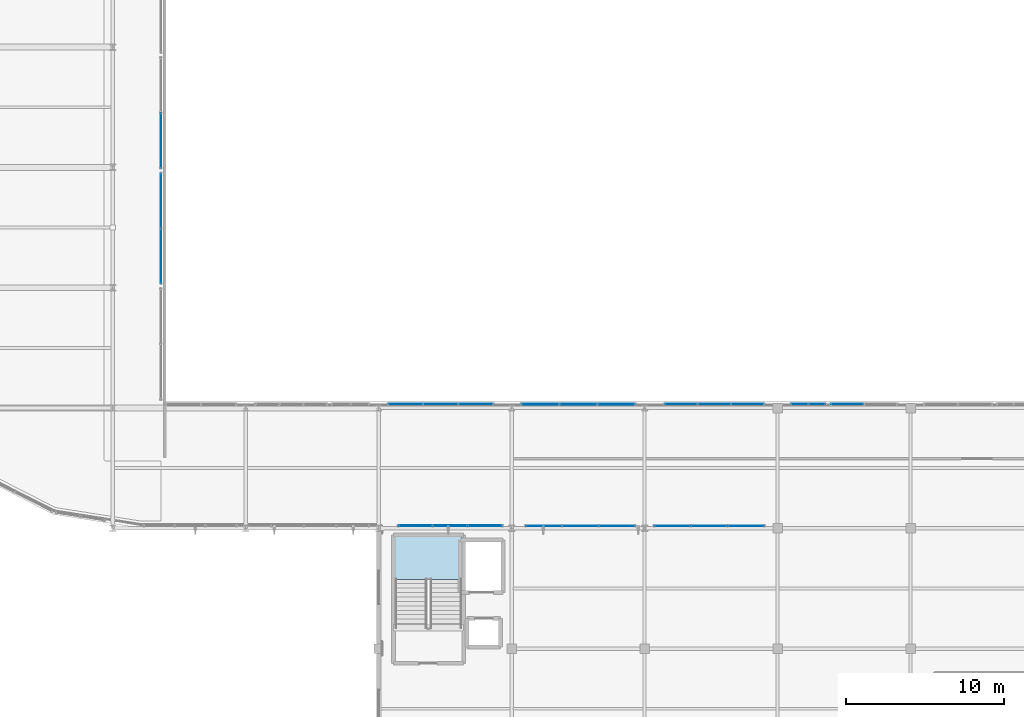
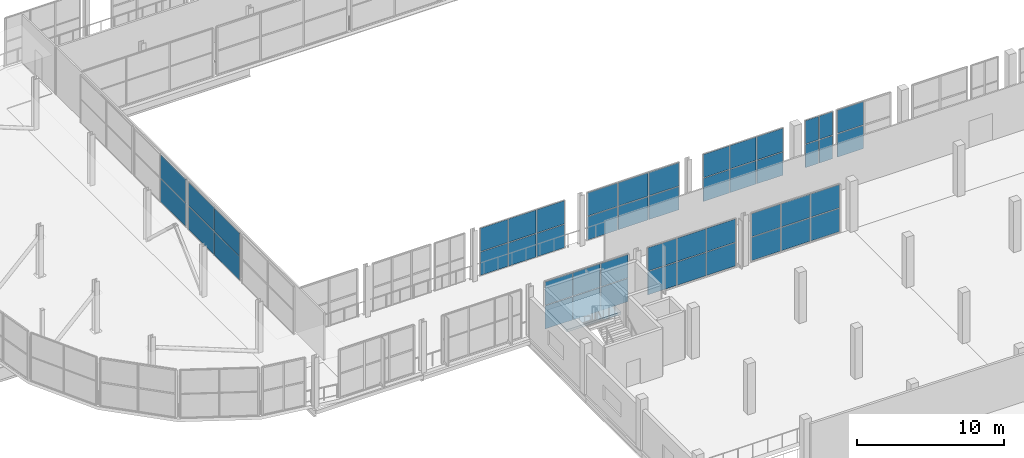
# One storey, part 165 of 217: 48 plates, 1 slab, 11 elements without a shape of their own.
"""IFC4 building model written with IfcOpenShell, lengths in metres."""

from ifc_helpers import new_model, si_unit, direction, frame, origin, origin_2d, place, context, subcontext, project, spatial, polyline, rectangle, outline, extrude, material, layer, layer_set, type_object, element, aggregate, save


model = new_model("IFC4")

# Units and contexts
model_context = context("Model", 3, precision=1e-05, world=origin(), true_north=direction((0.0, 1.0)))
body_context = subcontext(model_context, "Body", "Model", "MODEL_VIEW")
ifc_project = project(units=[si_unit("LENGTHUNIT", "METRE"), si_unit("AREAUNIT", "SQUARE_METRE"), si_unit("VOLUMEUNIT", "CUBIC_METRE"), si_unit("PLANEANGLEUNIT", "RADIAN"), si_unit("MASSUNIT", "GRAM", prefix="KILO")], contexts=[model_context])

# Site, building, storey
site_placement = place(None, origin())
site = spatial("IfcSite", under=ifc_project, at=site_placement, CompositionType="ELEMENT")
building_placement = place(site_placement, origin())
building = spatial("IfcBuilding", under=site, at=building_placement, Name="Zuvorla Pavilion Media Centre", CompositionType="ELEMENT")
storey_placement = place(building_placement, frame((0.0, 0.0, 9.60009765625)))
storey = spatial("IfcBuildingStorey", under=building, at=storey_placement, Name="L02", CompositionType="ELEMENT", Elevation=9.60009765625)

# Curtain wall, plates
ifc_material_1 = material(Name="Unitised anodised aluminium and solar glass curtain wall", Category="aluminium")
curtain_wall_type_1 = type_object("IfcCurtainWallType", Name="CW-SYS-22", PredefinedType="USERDEFINED", material=ifc_material_1)
curtain_wall_1_placement = place(storey_placement, origin())
curtain_wall_1 = element("IfcCurtainWall", 1, at=curtain_wall_1_placement, inside=storey, type_object=curtain_wall_type_1, Name="L02 curtain wall CW22 41", ObjectType="CURTAIN WALL", PredefinedType="USERDEFINED")
ifc_material_2 = material(Name="Solar control double glazing", Category="glass")
ifc_layer_1 = layer(ifc_material_2, 0.028076171875)
ifc_layer_set_1 = layer_set([ifc_layer_1], Name="Solar control double glazing")
plate_type_1 = type_object("IfcPlateType", Name="CW-PNL-28", PredefinedType="CURTAIN_PANEL", material=ifc_layer_set_1)
plate_1_placement = place(storey_placement, frame((52.033203125, 44.159912109375, 0.02978515625), z_axis=(0.0, 0.0, 1.0), x_axis=(1.0, 0.0, 0.0)))
plate_1 = element("IfcPlate", 2, at=plate_1_placement, type_object=plate_type_1, Name="CW22 panel 1.1", PredefinedType="CURTAIN_PANEL", context=body_context, shape_type="SweptSolid", body=[
    extrude(rectangle(XDim=2.24658203125, YDim=0.028076171875, at=origin_2d()), origin(), (0.0, 0.0, 1.0), 1.9150390625),
])
plate_2_placement = place(storey_placement, frame((52.033203125, 44.159912109375, 2.0048828125), z_axis=(0.0, 0.0, 1.0), x_axis=(1.0, 0.0, 0.0)))
plate_2 = element("IfcPlate", 3, at=plate_2_placement, type_object=plate_type_1, Name="CW22 panel 1.2", PredefinedType="CURTAIN_PANEL", context=body_context, shape_type="SweptSolid", body=[
    extrude(rectangle(XDim=2.24658203125, YDim=0.028076171875, at=origin_2d()), origin(), (0.0, 0.0, 1.0), 1.9150390625),
])
plate_3_placement = place(storey_placement, frame((54.33984375, 44.159912109375, 0.02978515625), z_axis=(0.0, 0.0, 1.0), x_axis=(1.0, 0.0, 0.0)))
plate_3 = element("IfcPlate", 4, at=plate_3_placement, type_object=plate_type_1, Name="CW22 panel 2.1", PredefinedType="CURTAIN_PANEL", context=body_context, shape_type="SweptSolid", body=[
    extrude(rectangle(XDim=2.24658203125, YDim=0.028076171875, at=origin_2d()), origin(), (0.0, 0.0, 1.0), 1.9150390625),
])
plate_4_placement = place(storey_placement, frame((54.33984375, 44.159912109375, 2.0048828125), z_axis=(0.0, 0.0, 1.0), x_axis=(1.0, 0.0, 0.0)))
plate_4 = element("IfcPlate", 5, at=plate_4_placement, type_object=plate_type_1, Name="CW22 panel 2.2", PredefinedType="CURTAIN_PANEL", context=body_context, shape_type="SweptSolid", body=[
    extrude(rectangle(XDim=2.24658203125, YDim=0.028076171875, at=origin_2d()), origin(), (0.0, 0.0, 1.0), 1.9150390625),
])
plate_5_placement = place(storey_placement, frame((56.646484375, 44.159912109375, 0.02978515625), z_axis=(0.0, 0.0, 1.0), x_axis=(1.0, 0.0, 0.0)))
plate_5 = element("IfcPlate", 6, at=plate_5_placement, type_object=plate_type_1, Name="CW22 panel 3.1", PredefinedType="CURTAIN_PANEL", context=body_context, shape_type="SweptSolid", body=[
    extrude(rectangle(XDim=2.24658203125, YDim=0.028076171875, at=origin_2d()), origin(), (0.0, 0.0, 1.0), 1.9150390625),
])
plate_6_placement = place(storey_placement, frame((56.646484375, 44.159912109375, 2.0048828125), z_axis=(0.0, 0.0, 1.0), x_axis=(1.0, 0.0, 0.0)))
plate_6 = element("IfcPlate", 7, at=plate_6_placement, type_object=plate_type_1, Name="CW22 panel 3.2", PredefinedType="CURTAIN_PANEL", context=body_context, shape_type="SweptSolid", body=[
    extrude(rectangle(XDim=2.24658203125, YDim=0.028076171875, at=origin_2d()), origin(), (0.0, 0.0, 1.0), 1.9150390625),
])
aggregate(curtain_wall_1, [plate_1, plate_2, plate_3, plate_4, plate_5, plate_6])

curtain_wall_type_2 = type_object("IfcCurtainWallType", Name="CW-SYS-36", PredefinedType="USERDEFINED", material=ifc_material_1)
curtain_wall_2_placement = place(storey_placement, origin())
curtain_wall_2 = element("IfcCurtainWall", 8, at=curtain_wall_2_placement, inside=storey, type_object=curtain_wall_type_2, Name="L02 curtain wall CW36 57", ObjectType="CURTAIN WALL", PredefinedType="USERDEFINED")
plate_7_placement = place(storey_placement, frame((60.708251953125, 51.840087890625, 0.02978515625), z_axis=(0.0, 0.0, 1.0), x_axis=(1.0, 0.0, 0.0)))
plate_7 = element("IfcPlate", 9, at=plate_7_placement, type_object=plate_type_1, Name="CW36 panel 1.1", PredefinedType="CURTAIN_PANEL", context=body_context, shape_type="SweptSolid", body=[
    extrude(rectangle(XDim=2.03662109375, YDim=0.028076171875, at=origin_2d()), origin(), (0.0, 0.0, 1.0), 1.9150390625),
])
plate_8_placement = place(storey_placement, frame((60.708251953125, 51.840087890625, 2.0048828125), z_axis=(0.0, 0.0, 1.0), x_axis=(1.0, 0.0, 0.0)))
plate_8 = element("IfcPlate", 10, at=plate_8_placement, type_object=plate_type_1, Name="CW36 panel 1.2", PredefinedType="CURTAIN_PANEL", context=body_context, shape_type="SweptSolid", body=[
    extrude(rectangle(XDim=2.03662109375, YDim=0.028076171875, at=origin_2d()), origin(), (0.0, 0.0, 1.0), 1.9150390625),
])
plate_9_placement = place(storey_placement, frame((62.804931640625, 51.840087890625, 0.02978515625), z_axis=(0.0, 0.0, 1.0), x_axis=(1.0, 0.0, 0.0)))
plate_9 = element("IfcPlate", 11, at=plate_9_placement, type_object=plate_type_1, Name="CW36 panel 2.1", PredefinedType="CURTAIN_PANEL", context=body_context, shape_type="SweptSolid", body=[
    extrude(rectangle(XDim=2.03662109375, YDim=0.028076171875, at=origin_2d()), origin(), (0.0, 0.0, 1.0), 1.9150390625),
])
plate_10_placement = place(storey_placement, frame((62.804931640625, 51.840087890625, 2.0048828125), z_axis=(0.0, 0.0, 1.0), x_axis=(1.0, 0.0, 0.0)))
plate_10 = element("IfcPlate", 12, at=plate_10_placement, type_object=plate_type_1, Name="CW36 panel 2.2", PredefinedType="CURTAIN_PANEL", context=body_context, shape_type="SweptSolid", body=[
    extrude(rectangle(XDim=2.03662109375, YDim=0.028076171875, at=origin_2d()), origin(), (0.0, 0.0, 1.0), 1.9150390625),
])
plate_11_placement = place(storey_placement, frame((64.9013671875, 51.840087890625, 0.02978515625), z_axis=(0.0, 0.0, 1.0), x_axis=(1.0, 0.0, 0.0)))
plate_11 = element("IfcPlate", 13, at=plate_11_placement, type_object=plate_type_1, Name="CW36 panel 3.1", PredefinedType="CURTAIN_PANEL", context=body_context, shape_type="SweptSolid", body=[
    extrude(rectangle(XDim=2.03662109375, YDim=0.028076171875, at=origin_2d()), origin(), (0.0, 0.0, 1.0), 1.9150390625),
])
plate_12_placement = place(storey_placement, frame((64.9013671875, 51.840087890625, 2.0048828125), z_axis=(0.0, 0.0, 1.0), x_axis=(1.0, 0.0, 0.0)))
plate_12 = element("IfcPlate", 14, at=plate_12_placement, type_object=plate_type_1, Name="CW36 panel 3.2", PredefinedType="CURTAIN_PANEL", context=body_context, shape_type="SweptSolid", body=[
    extrude(rectangle(XDim=2.03662109375, YDim=0.028076171875, at=origin_2d()), origin(), (0.0, 0.0, 1.0), 1.9150390625),
])
aggregate(curtain_wall_2, [plate_7, plate_8, plate_9, plate_10, plate_11, plate_12])

curtain_wall_type_3 = type_object("IfcCurtainWallType", Name="CW-SYS-37", PredefinedType="USERDEFINED", material=ifc_material_1)
curtain_wall_3_placement = place(storey_placement, origin())
curtain_wall_3 = element("IfcCurtainWall", 15, at=curtain_wall_3_placement, inside=storey, type_object=curtain_wall_type_3, Name="L02 curtain wall CW37 58", ObjectType="CURTAIN WALL", PredefinedType="USERDEFINED")
plate_13_placement = place(storey_placement, frame((68.19775390625, 51.840087890625, 0.02978515625), z_axis=(0.0, 0.0, 1.0), x_axis=(1.0, 0.0, 0.0)))
plate_13 = element("IfcPlate", 16, at=plate_13_placement, type_object=plate_type_1, Name="CW37 panel 1.1", PredefinedType="CURTAIN_PANEL", context=body_context, shape_type="SweptSolid", body=[
    extrude(rectangle(XDim=1.034912109375, YDim=0.028076171875, at=origin_2d()), origin(), (0.0, 0.0, 1.0), 1.9150390625),
])
plate_14_placement = place(storey_placement, frame((68.19775390625, 51.840087890625, 2.0048828125), z_axis=(0.0, 0.0, 1.0), x_axis=(1.0, 0.0, 0.0)))
plate_14 = element("IfcPlate", 17, at=plate_14_placement, type_object=plate_type_1, Name="CW37 panel 1.2", PredefinedType="CURTAIN_PANEL", context=body_context, shape_type="SweptSolid", body=[
    extrude(rectangle(XDim=1.034912109375, YDim=0.028076171875, at=origin_2d()), origin(), (0.0, 0.0, 1.0), 1.9150390625),
])
plate_15_placement = place(storey_placement, frame((69.29248046875, 51.840087890625, 0.02978515625), z_axis=(0.0, 0.0, 1.0), x_axis=(1.0, 0.0, 0.0)))
plate_15 = element("IfcPlate", 18, at=plate_15_placement, type_object=plate_type_1, Name="CW37 panel 2.1", PredefinedType="CURTAIN_PANEL", context=body_context, shape_type="SweptSolid", body=[
    extrude(rectangle(XDim=1.034912109375, YDim=0.028076171875, at=origin_2d()), origin(), (0.0, 0.0, 1.0), 1.9150390625),
])
plate_16_placement = place(storey_placement, frame((69.29248046875, 51.840087890625, 2.0048828125), z_axis=(0.0, 0.0, 1.0), x_axis=(1.0, 0.0, 0.0)))
plate_16 = element("IfcPlate", 19, at=plate_16_placement, type_object=plate_type_1, Name="CW37 panel 2.2", PredefinedType="CURTAIN_PANEL", context=body_context, shape_type="SweptSolid", body=[
    extrude(rectangle(XDim=1.034912109375, YDim=0.028076171875, at=origin_2d()), origin(), (0.0, 0.0, 1.0), 1.9150390625),
])
aggregate(curtain_wall_3, [plate_13, plate_14, plate_15, plate_16])

curtain_wall_type_4 = type_object("IfcCurtainWallType", Name="CW-SYS-24", PredefinedType="USERDEFINED", material=ifc_material_1)
curtain_wall_4_placement = place(storey_placement, origin())
curtain_wall_4 = element("IfcCurtainWall", 20, at=curtain_wall_4_placement, inside=storey, type_object=curtain_wall_type_4, Name="L02 curtain wall CW24 89", ObjectType="CURTAIN WALL", PredefinedType="USERDEFINED")
plate_17_placement = place(storey_placement, frame((27.840087890625, 64.695068359375, 0.02978515625), z_axis=(0.0, 0.0, 1.0), x_axis=(0.0, -1.0, 0.0)))
plate_17 = element("IfcPlate", 21, at=plate_17_placement, type_object=plate_type_1, Name="CW24 panel 1.1", PredefinedType="CURTAIN_PANEL", context=body_context, shape_type="SweptSolid", body=[
    extrude(rectangle(XDim=3.429931640625, YDim=0.028076171875, at=origin_2d()), origin(), (0.0, 0.0, 1.0), 1.9150390625),
])
plate_18_placement = place(storey_placement, frame((27.840087890625, 64.695068359375, 2.0048828125), z_axis=(0.0, 0.0, 1.0), x_axis=(0.0, -1.0, 0.0)))
plate_18 = element("IfcPlate", 22, at=plate_18_placement, type_object=plate_type_1, Name="CW24 panel 1.2", PredefinedType="CURTAIN_PANEL", context=body_context, shape_type="SweptSolid", body=[
    extrude(rectangle(XDim=3.429931640625, YDim=0.028076171875, at=origin_2d()), origin(), (0.0, 0.0, 1.0), 1.9150390625),
])
plate_19_placement = place(storey_placement, frame((27.840087890625, 61.205078125, 0.02978515625), z_axis=(0.0, 0.0, 1.0), x_axis=(0.0, -1.0, 0.0)))
plate_19 = element("IfcPlate", 23, at=plate_19_placement, type_object=plate_type_1, Name="CW24 panel 2.1", PredefinedType="CURTAIN_PANEL", context=body_context, shape_type="SweptSolid", body=[
    extrude(rectangle(XDim=3.429931640625, YDim=0.028076171875, at=origin_2d()), origin(), (0.0, 0.0, 1.0), 1.9150390625),
])
plate_20_placement = place(storey_placement, frame((27.840087890625, 61.205078125, 2.0048828125), z_axis=(0.0, 0.0, 1.0), x_axis=(0.0, -1.0, 0.0)))
plate_20 = element("IfcPlate", 24, at=plate_20_placement, type_object=plate_type_1, Name="CW24 panel 2.2", PredefinedType="CURTAIN_PANEL", context=body_context, shape_type="SweptSolid", body=[
    extrude(rectangle(XDim=3.429931640625, YDim=0.028076171875, at=origin_2d()), origin(), (0.0, 0.0, 1.0), 1.9150390625),
])
aggregate(curtain_wall_4, [plate_17, plate_18, plate_19, plate_20])

curtain_wall_type_5 = type_object("IfcCurtainWallType", Name="CW-SYS-23", PredefinedType="USERDEFINED", material=ifc_material_1)
curtain_wall_5_placement = place(storey_placement, origin())
curtain_wall_5 = element("IfcCurtainWall", 25, at=curtain_wall_5_placement, inside=storey, type_object=curtain_wall_type_5, Name="L02 curtain wall CW23 42", ObjectType="CURTAIN WALL", PredefinedType="USERDEFINED")
ifc_material_3 = material(Name="Acoustic laminated solar glazing", Category="glass")
ifc_layer_2 = layer(ifc_material_3, 0.033935546875)
ifc_layer_set_2 = layer_set([ifc_layer_2], Name="Acoustic laminated solar glazing")
plate_type_2 = type_object("IfcPlateType", Name="CW-PNL-34", PredefinedType="CURTAIN_PANEL", material=ifc_layer_set_2)
plate_21_placement = place(storey_placement, frame((60.158447265625, 44.159912109375, 0.02978515625), z_axis=(0.0, 0.0, 1.0), x_axis=(1.0, 0.0, 0.0)))
plate_21 = element("IfcPlate", 26, at=plate_21_placement, type_object=plate_type_2, Name="CW23 panel 1.1", PredefinedType="CURTAIN_PANEL", context=body_context, shape_type="SweptSolid", body=[
    extrude(rectangle(XDim=2.256591796875, YDim=0.033935546875, at=origin_2d()), origin(), (0.0, 0.0, 1.0), 1.9150390625),
])
plate_22_placement = place(storey_placement, frame((60.158447265625, 44.159912109375, 2.0048828125), z_axis=(0.0, 0.0, 1.0), x_axis=(1.0, 0.0, 0.0)))
plate_22 = element("IfcPlate", 27, at=plate_22_placement, type_object=plate_type_2, Name="CW23 panel 1.2", PredefinedType="CURTAIN_PANEL", context=body_context, shape_type="SweptSolid", body=[
    extrude(rectangle(XDim=2.256591796875, YDim=0.033935546875, at=origin_2d()), origin(), (0.0, 0.0, 1.0), 1.9150390625),
])
plate_23_placement = place(storey_placement, frame((62.474853515625, 44.159912109375, 0.02978515625), z_axis=(0.0, 0.0, 1.0), x_axis=(1.0, 0.0, 0.0)))
plate_23 = element("IfcPlate", 28, at=plate_23_placement, type_object=plate_type_2, Name="CW23 panel 2.1", PredefinedType="CURTAIN_PANEL", context=body_context, shape_type="SweptSolid", body=[
    extrude(rectangle(XDim=2.256591796875, YDim=0.033935546875, at=origin_2d()), origin(), (0.0, 0.0, 1.0), 1.9150390625),
])
plate_24_placement = place(storey_placement, frame((62.474853515625, 44.159912109375, 2.0048828125), z_axis=(0.0, 0.0, 1.0), x_axis=(1.0, 0.0, 0.0)))
plate_24 = element("IfcPlate", 29, at=plate_24_placement, type_object=plate_type_2, Name="CW23 panel 2.2", PredefinedType="CURTAIN_PANEL", context=body_context, shape_type="SweptSolid", body=[
    extrude(rectangle(XDim=2.256591796875, YDim=0.033935546875, at=origin_2d()), origin(), (0.0, 0.0, 1.0), 1.9150390625),
])
plate_25_placement = place(storey_placement, frame((64.79150390625, 44.159912109375, 0.02978515625), z_axis=(0.0, 0.0, 1.0), x_axis=(1.0, 0.0, 0.0)))
plate_25 = element("IfcPlate", 30, at=plate_25_placement, type_object=plate_type_2, Name="CW23 panel 3.1", PredefinedType="CURTAIN_PANEL", context=body_context, shape_type="SweptSolid", body=[
    extrude(rectangle(XDim=2.256591796875, YDim=0.033935546875, at=origin_2d()), origin(), (0.0, 0.0, 1.0), 1.9150390625),
])
plate_26_placement = place(storey_placement, frame((64.79150390625, 44.159912109375, 2.0048828125), z_axis=(0.0, 0.0, 1.0), x_axis=(1.0, 0.0, 0.0)))
plate_26 = element("IfcPlate", 31, at=plate_26_placement, type_object=plate_type_2, Name="CW23 panel 3.2", PredefinedType="CURTAIN_PANEL", context=body_context, shape_type="SweptSolid", body=[
    extrude(rectangle(XDim=2.256591796875, YDim=0.033935546875, at=origin_2d()), origin(), (0.0, 0.0, 1.0), 1.9150390625),
])
aggregate(curtain_wall_5, [plate_21, plate_22, plate_23, plate_24, plate_25, plate_26])

curtain_wall_type_6 = type_object("IfcCurtainWallType", Name="CW-SYS-32", PredefinedType="USERDEFINED", material=ifc_material_1)
curtain_wall_6_placement = place(storey_placement, origin())
curtain_wall_6 = element("IfcCurtainWall", 32, at=curtain_wall_6_placement, inside=storey, type_object=curtain_wall_type_6, Name="L02 curtain wall CW32 53", ObjectType="CURTAIN WALL", PredefinedType="USERDEFINED")
plate_27_placement = place(storey_placement, frame((43.306884765625, 51.840087890625, 0.02978515625), z_axis=(0.0, 0.0, 1.0), x_axis=(1.0, 0.0, 0.0)))
plate_27 = element("IfcPlate", 33, at=plate_27_placement, type_object=plate_type_2, Name="CW32 panel 1.1", PredefinedType="CURTAIN_PANEL", context=body_context, shape_type="SweptSolid", body=[
    extrude(rectangle(XDim=2.1533203125, YDim=0.033935546875, at=origin_2d()), origin(), (0.0, 0.0, 1.0), 1.9150390625),
])
plate_28_placement = place(storey_placement, frame((43.306884765625, 51.840087890625, 2.0048828125), z_axis=(0.0, 0.0, 1.0), x_axis=(1.0, 0.0, 0.0)))
plate_28 = element("IfcPlate", 34, at=plate_28_placement, type_object=plate_type_2, Name="CW32 panel 1.2", PredefinedType="CURTAIN_PANEL", context=body_context, shape_type="SweptSolid", body=[
    extrude(rectangle(XDim=2.1533203125, YDim=0.033935546875, at=origin_2d()), origin(), (0.0, 0.0, 1.0), 1.9150390625),
])
plate_29_placement = place(storey_placement, frame((45.52001953125, 51.840087890625, 0.02978515625), z_axis=(0.0, 0.0, 1.0), x_axis=(1.0, 0.0, 0.0)))
plate_29 = element("IfcPlate", 35, at=plate_29_placement, type_object=plate_type_2, Name="CW32 panel 2.1", PredefinedType="CURTAIN_PANEL", context=body_context, shape_type="SweptSolid", body=[
    extrude(rectangle(XDim=2.1533203125, YDim=0.033935546875, at=origin_2d()), origin(), (0.0, 0.0, 1.0), 1.9150390625),
])
plate_30_placement = place(storey_placement, frame((45.52001953125, 51.840087890625, 2.0048828125), z_axis=(0.0, 0.0, 1.0), x_axis=(1.0, 0.0, 0.0)))
plate_30 = element("IfcPlate", 36, at=plate_30_placement, type_object=plate_type_2, Name="CW32 panel 2.2", PredefinedType="CURTAIN_PANEL", context=body_context, shape_type="SweptSolid", body=[
    extrude(rectangle(XDim=2.1533203125, YDim=0.033935546875, at=origin_2d()), origin(), (0.0, 0.0, 1.0), 1.9150390625),
])
plate_31_placement = place(storey_placement, frame((47.7333984375, 51.840087890625, 0.02978515625), z_axis=(0.0, 0.0, 1.0), x_axis=(1.0, 0.0, 0.0)))
plate_31 = element("IfcPlate", 37, at=plate_31_placement, type_object=plate_type_2, Name="CW32 panel 3.1", PredefinedType="CURTAIN_PANEL", context=body_context, shape_type="SweptSolid", body=[
    extrude(rectangle(XDim=2.1533203125, YDim=0.033935546875, at=origin_2d()), origin(), (0.0, 0.0, 1.0), 1.9150390625),
])
plate_32_placement = place(storey_placement, frame((47.7333984375, 51.840087890625, 2.0048828125), z_axis=(0.0, 0.0, 1.0), x_axis=(1.0, 0.0, 0.0)))
plate_32 = element("IfcPlate", 38, at=plate_32_placement, type_object=plate_type_2, Name="CW32 panel 3.2", PredefinedType="CURTAIN_PANEL", context=body_context, shape_type="SweptSolid", body=[
    extrude(rectangle(XDim=2.1533203125, YDim=0.033935546875, at=origin_2d()), origin(), (0.0, 0.0, 1.0), 1.9150390625),
])
aggregate(curtain_wall_6, [plate_27, plate_28, plate_29, plate_30, plate_31, plate_32])

curtain_wall_type_7 = type_object("IfcCurtainWallType", Name="CW-SYS-40", PredefinedType="USERDEFINED", material=ifc_material_1)
curtain_wall_7_placement = place(storey_placement, origin())
curtain_wall_7 = element("IfcCurtainWall", 39, at=curtain_wall_7_placement, inside=storey, type_object=curtain_wall_type_7, Name="L02 curtain wall CW40 61", ObjectType="CURTAIN WALL", PredefinedType="USERDEFINED")
plate_33_placement = place(storey_placement, frame((71.20751953125, 51.840087890625, 0.02978515625), z_axis=(0.0, 0.0, 1.0), x_axis=(1.0, 0.0, 0.0)))
plate_33 = element("IfcPlate", 40, at=plate_33_placement, type_object=plate_type_2, Name="CW40 panel 1.1", PredefinedType="CURTAIN_PANEL", context=body_context, shape_type="SweptSolid", body=[
    extrude(rectangle(XDim=2.034912109375, YDim=0.033935546875, at=origin_2d()), origin(), (0.0, 0.0, 1.0), 1.9150390625),
])
plate_34_placement = place(storey_placement, frame((71.20751953125, 51.840087890625, 2.0048828125), z_axis=(0.0, 0.0, 1.0), x_axis=(1.0, 0.0, 0.0)))
plate_34 = element("IfcPlate", 41, at=plate_34_placement, type_object=plate_type_2, Name="CW40 panel 1.2", PredefinedType="CURTAIN_PANEL", context=body_context, shape_type="SweptSolid", body=[
    extrude(rectangle(XDim=2.034912109375, YDim=0.033935546875, at=origin_2d()), origin(), (0.0, 0.0, 1.0), 1.9150390625),
])
aggregate(curtain_wall_7, [plate_33, plate_34])

curtain_wall_type_8 = type_object("IfcCurtainWallType", Name="CW-SYS-58", PredefinedType="USERDEFINED", material=ifc_material_1)
curtain_wall_8_placement = place(storey_placement, origin())
curtain_wall_8 = element("IfcCurtainWall", 42, at=curtain_wall_8_placement, inside=storey, type_object=curtain_wall_type_8, Name="L02 curtain wall CW58 91", ObjectType="CURTAIN WALL", PredefinedType="USERDEFINED")
plate_35_placement = place(storey_placement, frame((27.840087890625, 68.5048828125, 0.02978515625), z_axis=(0.0, 0.0, 1.0), x_axis=(0.0, -1.0, 0.0)))
plate_35 = element("IfcPlate", 43, at=plate_35_placement, type_object=plate_type_2, Name="CW58 panel 2.1", PredefinedType="CURTAIN_PANEL", context=body_context, shape_type="SweptSolid", body=[
    extrude(rectangle(XDim=3.429931640625, YDim=0.033935546875, at=origin_2d()), origin(), (0.0, 0.0, 1.0), 1.9150390625),
])
plate_36_placement = place(storey_placement, frame((27.840087890625, 68.5048828125, 2.0048828125), z_axis=(0.0, 0.0, 1.0), x_axis=(0.0, -1.0, 0.0)))
plate_36 = element("IfcPlate", 44, at=plate_36_placement, type_object=plate_type_2, Name="CW58 panel 2.2", PredefinedType="CURTAIN_PANEL", context=body_context, shape_type="SweptSolid", body=[
    extrude(rectangle(XDim=3.429931640625, YDim=0.033935546875, at=origin_2d()), origin(), (0.0, 0.0, 1.0), 1.9150390625),
])
aggregate(curtain_wall_8, [plate_35, plate_36])

curtain_wall_type_9 = type_object("IfcCurtainWallType", Name="CW-SYS-21", PredefinedType="USERDEFINED", material=ifc_material_1)
curtain_wall_9_placement = place(storey_placement, origin())
curtain_wall_9 = element("IfcCurtainWall", 45, at=curtain_wall_9_placement, inside=storey, type_object=curtain_wall_type_9, Name="L02 curtain wall CW21 40", ObjectType="CURTAIN WALL", PredefinedType="USERDEFINED")
ifc_material_4 = material(Name="Triple acoustic broadcast glazing", Category="glass")
ifc_layer_3 = layer(ifc_material_4, 0.0419921875)
ifc_layer_set_3 = layer_set([ifc_layer_3], Name="Triple acoustic broadcast glazing")
plate_type_3 = type_object("IfcPlateType", Name="CW-PNL-42", PredefinedType="CURTAIN_PANEL", material=ifc_layer_set_3)
plate_37_placement = place(storey_placement, frame((43.933349609375, 44.159912109375, 0.02978515625), z_axis=(0.0, 0.0, 1.0), x_axis=(1.0, 0.0, 0.0)))
plate_37 = element("IfcPlate", 46, at=plate_37_placement, type_object=plate_type_3, Name="CW21 panel 1.1", PredefinedType="CURTAIN_PANEL", context=body_context, shape_type="SweptSolid", body=[
    extrude(rectangle(XDim=2.126708984375, YDim=0.0419921875, at=origin_2d()), origin(), (0.0, 0.0, 1.0), 1.9150390625),
])
plate_38_placement = place(storey_placement, frame((43.933349609375, 44.159912109375, 2.0048828125), z_axis=(0.0, 0.0, 1.0), x_axis=(1.0, 0.0, 0.0)))
plate_38 = element("IfcPlate", 47, at=plate_38_placement, type_object=plate_type_3, Name="CW21 panel 1.2", PredefinedType="CURTAIN_PANEL", context=body_context, shape_type="SweptSolid", body=[
    extrude(rectangle(XDim=2.126708984375, YDim=0.0419921875, at=origin_2d()), origin(), (0.0, 0.0, 1.0), 1.9150390625),
])
plate_39_placement = place(storey_placement, frame((46.119873046875, 44.159912109375, 0.02978515625), z_axis=(0.0, 0.0, 1.0), x_axis=(1.0, 0.0, 0.0)))
plate_39 = element("IfcPlate", 48, at=plate_39_placement, type_object=plate_type_3, Name="CW21 panel 2.1", PredefinedType="CURTAIN_PANEL", context=body_context, shape_type="SweptSolid", body=[
    extrude(rectangle(XDim=2.126708984375, YDim=0.0419921875, at=origin_2d()), origin(), (0.0, 0.0, 1.0), 1.9150390625),
])
plate_40_placement = place(storey_placement, frame((46.119873046875, 44.159912109375, 2.0048828125), z_axis=(0.0, 0.0, 1.0), x_axis=(1.0, 0.0, 0.0)))
plate_40 = element("IfcPlate", 49, at=plate_40_placement, type_object=plate_type_3, Name="CW21 panel 2.2", PredefinedType="CURTAIN_PANEL", context=body_context, shape_type="SweptSolid", body=[
    extrude(rectangle(XDim=2.126708984375, YDim=0.0419921875, at=origin_2d()), origin(), (0.0, 0.0, 1.0), 1.9150390625),
])
plate_41_placement = place(storey_placement, frame((48.306396484375, 44.159912109375, 0.02978515625), z_axis=(0.0, 0.0, 1.0), x_axis=(1.0, 0.0, 0.0)))
plate_41 = element("IfcPlate", 50, at=plate_41_placement, type_object=plate_type_3, Name="CW21 panel 3.1", PredefinedType="CURTAIN_PANEL", context=body_context, shape_type="SweptSolid", body=[
    extrude(rectangle(XDim=2.126708984375, YDim=0.0419921875, at=origin_2d()), origin(), (0.0, 0.0, 1.0), 1.9150390625),
])
plate_42_placement = place(storey_placement, frame((48.306396484375, 44.159912109375, 2.0048828125), z_axis=(0.0, 0.0, 1.0), x_axis=(1.0, 0.0, 0.0)))
plate_42 = element("IfcPlate", 51, at=plate_42_placement, type_object=plate_type_3, Name="CW21 panel 3.2", PredefinedType="CURTAIN_PANEL", context=body_context, shape_type="SweptSolid", body=[
    extrude(rectangle(XDim=2.126708984375, YDim=0.0419921875, at=origin_2d()), origin(), (0.0, 0.0, 1.0), 1.9150390625),
])
aggregate(curtain_wall_9, [plate_37, plate_38, plate_39, plate_40, plate_41, plate_42])

curtain_wall_type_10 = type_object("IfcCurtainWallType", Name="CW-SYS-34", PredefinedType="USERDEFINED", material=ifc_material_1)
curtain_wall_10_placement = place(storey_placement, origin())
curtain_wall_10 = element("IfcCurtainWall", 52, at=curtain_wall_10_placement, inside=storey, type_object=curtain_wall_type_10, Name="L02 curtain wall CW34 55", ObjectType="CURTAIN WALL", PredefinedType="USERDEFINED")
plate_43_placement = place(storey_placement, frame((51.800048828125, 51.840087890625, 0.02978515625), z_axis=(0.0, 0.0, 1.0), x_axis=(1.0, 0.0, 0.0)))
plate_43 = element("IfcPlate", 53, at=plate_43_placement, type_object=plate_type_3, Name="CW34 panel 1.1", PredefinedType="CURTAIN_PANEL", context=body_context, shape_type="SweptSolid", body=[
    extrude(rectangle(XDim=2.33984375, YDim=0.0419921875, at=origin_2d()), origin(), (0.0, 0.0, 1.0), 1.9150390625),
])
plate_44_placement = place(storey_placement, frame((51.800048828125, 51.840087890625, 2.0048828125), z_axis=(0.0, 0.0, 1.0), x_axis=(1.0, 0.0, 0.0)))
plate_44 = element("IfcPlate", 54, at=plate_44_placement, type_object=plate_type_3, Name="CW34 panel 1.2", PredefinedType="CURTAIN_PANEL", context=body_context, shape_type="SweptSolid", body=[
    extrude(rectangle(XDim=2.33984375, YDim=0.0419921875, at=origin_2d()), origin(), (0.0, 0.0, 1.0), 1.9150390625),
])
plate_45_placement = place(storey_placement, frame((54.199951171875, 51.840087890625, 0.02978515625), z_axis=(0.0, 0.0, 1.0), x_axis=(1.0, 0.0, 0.0)))
plate_45 = element("IfcPlate", 55, at=plate_45_placement, type_object=plate_type_3, Name="CW34 panel 2.1", PredefinedType="CURTAIN_PANEL", context=body_context, shape_type="SweptSolid", body=[
    extrude(rectangle(XDim=2.33984375, YDim=0.0419921875, at=origin_2d()), origin(), (0.0, 0.0, 1.0), 1.9150390625),
])
plate_46_placement = place(storey_placement, frame((54.199951171875, 51.840087890625, 2.0048828125), z_axis=(0.0, 0.0, 1.0), x_axis=(1.0, 0.0, 0.0)))
plate_46 = element("IfcPlate", 56, at=plate_46_placement, type_object=plate_type_3, Name="CW34 panel 2.2", PredefinedType="CURTAIN_PANEL", context=body_context, shape_type="SweptSolid", body=[
    extrude(rectangle(XDim=2.33984375, YDim=0.0419921875, at=origin_2d()), origin(), (0.0, 0.0, 1.0), 1.9150390625),
])
plate_47_placement = place(storey_placement, frame((56.599853515625, 51.840087890625, 0.02978515625), z_axis=(0.0, 0.0, 1.0), x_axis=(1.0, 0.0, 0.0)))
plate_47 = element("IfcPlate", 57, at=plate_47_placement, type_object=plate_type_3, Name="CW34 panel 3.1", PredefinedType="CURTAIN_PANEL", context=body_context, shape_type="SweptSolid", body=[
    extrude(rectangle(XDim=2.33984375, YDim=0.0419921875, at=origin_2d()), origin(), (0.0, 0.0, 1.0), 1.9150390625),
])
plate_48_placement = place(storey_placement, frame((56.599853515625, 51.840087890625, 2.0048828125), z_axis=(0.0, 0.0, 1.0), x_axis=(1.0, 0.0, 0.0)))
plate_48 = element("IfcPlate", 58, at=plate_48_placement, type_object=plate_type_3, Name="CW34 panel 3.2", PredefinedType="CURTAIN_PANEL", context=body_context, shape_type="SweptSolid", body=[
    extrude(rectangle(XDim=2.33984375, YDim=0.0419921875, at=origin_2d()), origin(), (0.0, 0.0, 1.0), 1.9150390625),
])
aggregate(curtain_wall_10, [plate_43, plate_44, plate_45, plate_46, plate_47, plate_48])

# Stair, slab
ifc_material_5 = material(Name="Concrete C40/50", Category="concrete")
stair_type = type_object("IfcStairType", Name="STR-DOG-420", PredefinedType="TWO_STRAIGHT_RUN_STAIR", material=ifc_material_5)
stair_placement = place(storey_placement, origin())
stair = element("IfcStair", 59, at=stair_placement, inside=storey, type_object=stair_type, Name="L02 exit stair ST-03", PredefinedType="TWO_STRAIGHT_RUN_STAIR")
ifc_layer_4 = layer(ifc_material_5, 0.199951171875)
ifc_layer_set_4 = layer_set([ifc_layer_4], Name="Concrete C40/50")
slab_type = type_object("IfcSlabType", Name="SLB-LND-200", PredefinedType="LANDING", material=ifc_layer_set_4)
slab_placement = place(storey_placement, frame((0.0, 0.0, 1.89990234375)))
slab = element("IfcSlab", 60, at=slab_placement, type_object=slab_type, Name="ST-03 landing 1", PredefinedType="LANDING", context=body_context, shape_type="SweptSolid", body=[
    extrude(outline(polyline([(42.6298828125, 40.760009765625), (46.8701171875, 40.760009765625), (46.8701171875, 43.469970703125), (42.6298828125, 43.469970703125), (42.6298828125, 40.760009765625)])), origin(), (0.0, 0.0, 1.0), 0.199951171875),
])
aggregate(stair, [slab])

save(model, "model.ifc")
